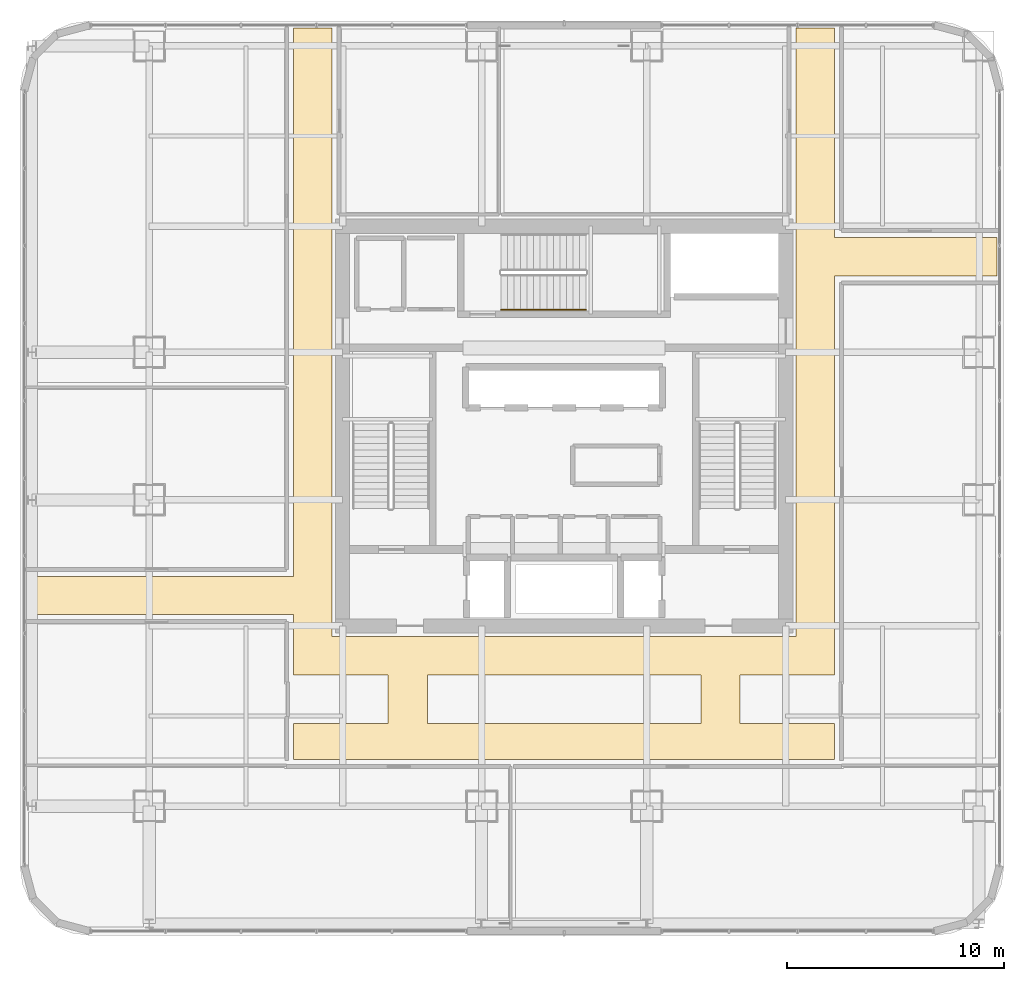
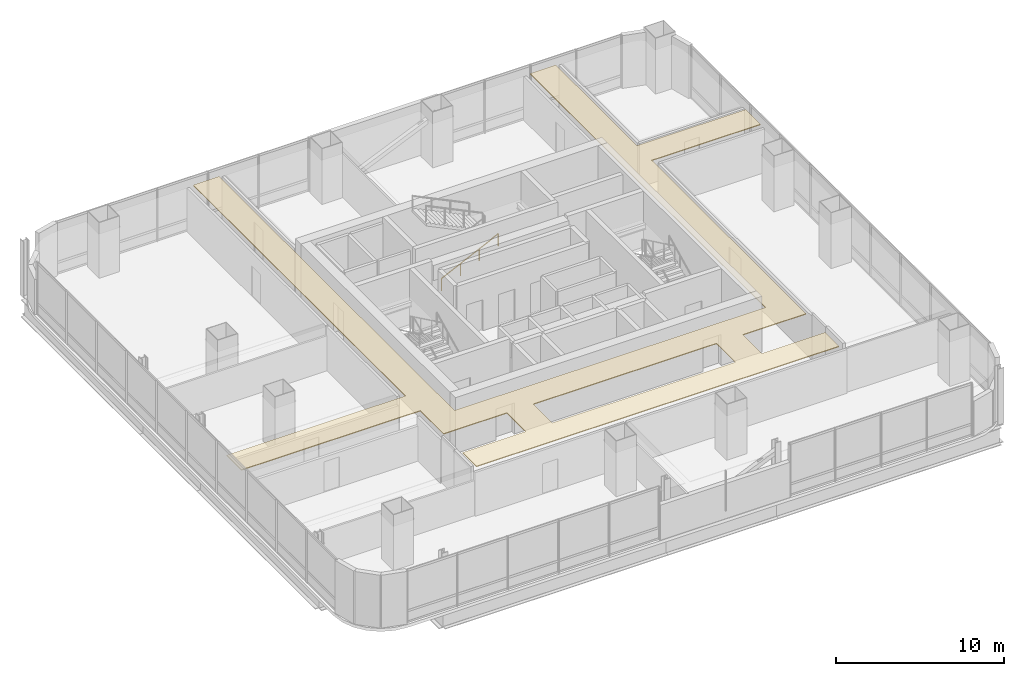
# One storey, part 34 of 38: 1 covering, 1 railing.
"""IFC4 building model written with IfcOpenShell, lengths in metres."""

from ifc_helpers import new_model, si_unit, direction, frame, origin, origin_2d, place, context, subcontext, project, spatial, polyline, circle, outline, extrude, material, layer, layer_set, type_object, element, save


model = new_model("IFC4")

# Units and contexts
model_context = context("Model", 3, precision=1e-05, world=origin(), true_north=direction((0.0, 1.0)))
body_context = subcontext(model_context, "Body", "Model", "MODEL_VIEW")
ifc_project = project(units=[si_unit("LENGTHUNIT", "METRE"), si_unit("AREAUNIT", "SQUARE_METRE"), si_unit("VOLUMEUNIT", "CUBIC_METRE"), si_unit("PLANEANGLEUNIT", "RADIAN"), si_unit("MASSUNIT", "GRAM", prefix="KILO")], contexts=[model_context])

# Site, building, storey
site_placement = place(None, origin())
site = spatial("IfcSite", under=ifc_project, at=site_placement, CompositionType="ELEMENT")
building_placement = place(site_placement, origin())
building = spatial("IfcBuilding", under=site, at=building_placement, Name="Punatoya Terracotta Tower", CompositionType="ELEMENT")
storey_placement = place(building_placement, frame((0.0, 0.0, 188.39990234375)))
storey = spatial("IfcBuildingStorey", under=building, at=storey_placement, Name="L44", CompositionType="ELEMENT", Elevation=188.39990234375)

# Covering
ifc_material_1 = material(Name="Acoustic Mineral Fibre Ceiling")
ifc_layer = layer(ifc_material_1, 0.06005859375)
ifc_layer_set = layer_set([ifc_layer], Name="Acoustic Mineral Fibre Ceiling")
covering_type = type_object("IfcCoveringType", Name="COV-CEIL-60", PredefinedType="CEILING", material=ifc_layer_set)
covering_placement = place(storey_placement, frame((0.0, 0.0, 3.22021484375)))
element("IfcCovering", 1, at=covering_placement, inside=storey, type_object=covering_type, Name="L44 Central Spine Circulation Corridor Acoustic Ceiling", PredefinedType="CEILING", context=body_context, shape_type="SweptSolid", body=[
    extrude(outline(polyline([(8.10009765625, -13.699951171875), (8.10009765625, -11.449951171875), (12.449951171875, -11.449951171875), (12.449951171875, 6.919921875), (19.929931640625, 6.919921875), (19.929931640625, 8.679931640625), (12.449951171875, 8.679931640625), (12.449951171875, 18.330078125), (10.679931640625, 18.330078125), (10.679931640625, -9.679931640625), (-10.679931640625, -9.679931640625), (-10.679931640625, 18.330078125), (-12.449951171875, 18.330078125), (-12.449951171875, -6.919921875), (-24.72998046875, -6.919921875), (-24.72998046875, -8.679931640625), (-12.449951171875, -8.679931640625), (-12.449951171875, -11.449951171875), (-8.10009765625, -11.449951171875), (-8.10009765625, -13.699951171875), (-12.449951171875, -13.699951171875), (-12.449951171875, -15.35009765625), (12.449951171875, -15.35009765625), (12.449951171875, -13.699951171875), (8.10009765625, -13.699951171875)]), holes=[polyline([(6.300048828125, -11.449951171875), (6.300048828125, -13.699951171875), (-6.300048828125, -13.699951171875), (-6.300048828125, -11.449951171875), (6.300048828125, -11.449951171875)])]), origin(), (0.0, 0.0, 1.0), 0.059814453125),
])

# Railing
ifc_material_2 = material(Name="Steel S355", Category="steel")
railing_type = type_object("IfcRailingType", Name="RLG-HND-900", PredefinedType="HANDRAIL", material=ifc_material_2)
railing_placement = place(storey_placement, frame((-2.89990234375, 5.35009765625, 0.144775390625)))
element("IfcRailing", 2, at=railing_placement, inside=storey, type_object=railing_type, Name="L44 ST-3 stair handrail 1", PredefinedType="HANDRAIL", context=body_context, shape_type="SweptSolid", body=[
    extrude(circle(Radius=0.02392578125, at=origin_2d()), frame((0.0, 0.0, 0.8759765625), z_axis=(0.900763166376, 0.0, 0.434310623978), x_axis=(0.0, 1.0, 0.0)), (0.0, 0.0, 1.0), 4.32958984375),
    extrude(circle(Radius=0.02099609375, at=origin_2d()), origin(), (0.0, 0.0, 1.0), 0.851806640625),
    extrude(circle(Radius=0.02099609375, at=origin_2d()), frame((1.300048828125, 0.0, 0.626708984375)), (0.0, 0.0, 1.0), 0.851806640625),
    extrude(circle(Radius=0.02099609375, at=origin_2d()), frame((2.599853515625, 0.0, 1.253662109375)), (0.0, 0.0, 1.0), 0.851806640625),
    extrude(circle(Radius=0.02099609375, at=origin_2d()), frame((3.89990234375, 0.0, 1.88037109375)), (0.0, 0.0, 1.0), 0.851806640625),
])

save(model, "model.ifc")
